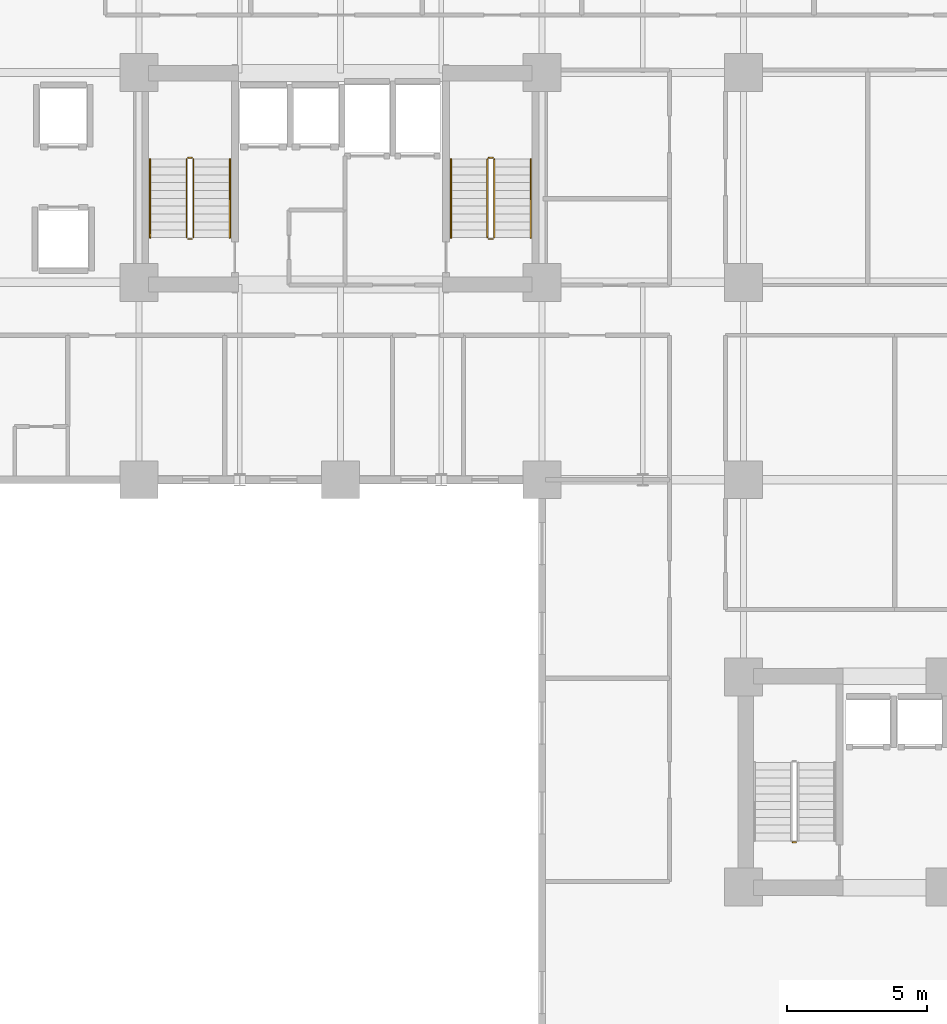
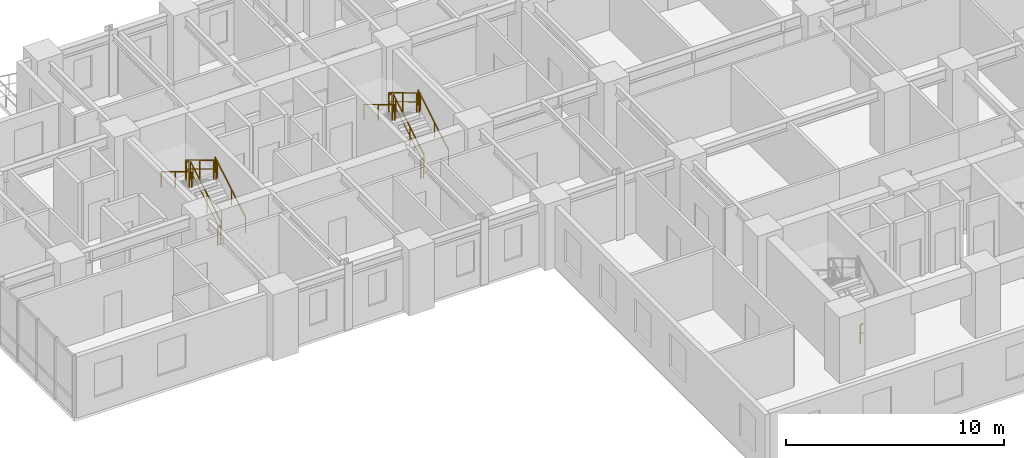
# One storey, part 15 of 17: 13 railings.
"""IFC4 building model written with IfcOpenShell, lengths in metres."""

from ifc_helpers import new_model, si_unit, direction, frame, origin, origin_2d, place, context, subcontext, project, spatial, rectangle, extrude, material, type_object, element, save


model = new_model("IFC4")

# Units and contexts
model_context = context("Model", 3, precision=1e-05, world=origin(), true_north=direction((0.0, 1.0)))
body_context = subcontext(model_context, "Body", "Model", "MODEL_VIEW")
ifc_project = project(units=[si_unit("LENGTHUNIT", "METRE"), si_unit("AREAUNIT", "SQUARE_METRE"), si_unit("VOLUMEUNIT", "CUBIC_METRE"), si_unit("PLANEANGLEUNIT", "RADIAN"), si_unit("MASSUNIT", "GRAM", prefix="KILO")], contexts=[model_context])

# Site, building, storey
site_placement = place(None, origin())
site = spatial("IfcSite", under=ifc_project, at=site_placement, CompositionType="ELEMENT")
building_placement = place(site_placement, origin())
building = spatial("IfcBuilding", under=site, at=building_placement, Name="Kaliganga Portal Commons", CompositionType="ELEMENT")
storey_placement = place(building_placement, frame((0.0, 0.0, 62.300048828125)))
storey = spatial("IfcBuildingStorey", under=building, at=storey_placement, Name="L15", CompositionType="ELEMENT", Elevation=62.300048828125)

# Railings
ifc_material_1 = material(Name="Galvanized Painted Steel Balustrade", Category="steel")
railing_type_1 = type_object("IfcRailingType", Name="RLG-STAIR-GRD", PredefinedType="GUARDRAIL", material=ifc_material_1)
railing_1_placement = place(storey_placement, frame((16.35009765625, 30.25, 0.168212890625)))
element("IfcRailing", 1, at=railing_1_placement, inside=storey, type_object=railing_type_1, Name="L15 ST-A1 stair guard 1", PredefinedType="GUARDRAIL", context=body_context, shape_type="SweptSolid", body=[
    extrude(rectangle(XDim=0.048095703125, YDim=0.048095703125, at=origin_2d()), frame((0.0, 0.0, 1.072021484375), z_axis=(0.0, 0.857275202839, 0.514858452973), x_axis=(-1.0, 0.0, 0.0)), (0.0, 0.0, 1.0), 3.26611328125),
    extrude(rectangle(XDim=0.028076171875, YDim=0.028076171875, at=origin_2d()), frame((0.0, 0.0, 0.572021484375), z_axis=(0.0, 0.857275202839, 0.514858452973), x_axis=(-1.0, 0.0, 0.0)), (0.0, 0.0, 1.0), 3.26611328125),
    extrude(rectangle(XDim=0.0419921875, YDim=0.0419921875, at=origin_2d()), origin(), (0.0, 0.0, 1.0), 1.052001953125),
    extrude(rectangle(XDim=0.0419921875, YDim=0.0419921875, at=origin_2d()), frame((0.0, 1.285888671875, 0.772216796875)), (0.0, 0.0, 1.0), 1.052001953125),
    extrude(rectangle(XDim=0.0419921875, YDim=0.0419921875, at=origin_2d()), frame((0.0, 2.57177734375, 1.544677734375)), (0.0, 0.0, 1.0), 1.052001953125),
    extrude(rectangle(XDim=0.0419921875, YDim=0.0419921875, at=origin_2d()), frame((0.0, 2.800048828125, 1.681640625)), (0.0, 0.0, 1.0), 1.052001953125),
])
railing_2_placement = place(storey_placement, frame((16.300048828125, 33.10009765625, 1.849853515625)))
element("IfcRailing", 2, at=railing_2_placement, inside=storey, type_object=railing_type_1, Name="L15 ST-A1 stair guard 2", PredefinedType="GUARDRAIL", context=body_context, shape_type="SweptSolid", body=[
    extrude(rectangle(XDim=0.048095703125, YDim=0.048095703125, at=origin_2d()), frame((0.0, 0.0, 1.076171875), z_axis=(-1.0, 0.0, 0.0), x_axis=(0.0, -1.0, 0.0)), (0.0, 0.0, 1.0), 0.150146484375),
    extrude(rectangle(XDim=0.028076171875, YDim=0.028076171875, at=origin_2d()), frame((0.0, 0.0, 0.572021484375), z_axis=(-1.0, 0.0, 0.0), x_axis=(0.0, -1.0, 0.0)), (0.0, 0.0, 1.0), 0.150146484375),
    extrude(rectangle(XDim=0.0419921875, YDim=0.0419921875, at=origin_2d()), origin(), (0.0, 0.0, 1.0), 1.052001953125),
    extrude(rectangle(XDim=0.0419921875, YDim=0.0419921875, at=origin_2d()), frame((-0.150146484375, 0.0, 0.0)), (0.0, 0.0, 1.0), 1.052001953125),
])
railing_3_placement = place(storey_placement, frame((16.10009765625, 33.050048828125, 2.01806640625)))
element("IfcRailing", 3, at=railing_3_placement, inside=storey, type_object=railing_type_1, Name="L15 ST-A1 stair guard 3", PredefinedType="GUARDRAIL", context=body_context, shape_type="SweptSolid", body=[
    extrude(rectangle(XDim=0.048095703125, YDim=0.048095703125, at=origin_2d()), frame((0.0, 0.0, 1.072021484375), z_axis=(0.0, -0.857242210791, 0.514913383045), x_axis=(1.0, 0.0, 0.0)), (0.0, 0.0, 1.0), 3.266357421875),
    extrude(rectangle(XDim=0.028076171875, YDim=0.028076171875, at=origin_2d()), frame((0.0, 0.0, 0.572021484375), z_axis=(0.0, -0.857242210791, 0.514913383045), x_axis=(1.0, 0.0, 0.0)), (0.0, 0.0, 1.0), 3.266357421875),
    extrude(rectangle(XDim=0.0419921875, YDim=0.0419921875, at=origin_2d()), origin(), (0.0, 0.0, 1.0), 1.052001953125),
    extrude(rectangle(XDim=0.0419921875, YDim=0.0419921875, at=origin_2d()), frame((0.0, -1.285888671875, 0.7724609375)), (0.0, 0.0, 1.0), 1.052001953125),
    extrude(rectangle(XDim=0.0419921875, YDim=0.0419921875, at=origin_2d()), frame((0.0, -2.57177734375, 1.544677734375)), (0.0, 0.0, 1.0), 1.052001953125),
    extrude(rectangle(XDim=0.0419921875, YDim=0.0419921875, at=origin_2d()), frame((0.0, -2.800048828125, 1.681884765625)), (0.0, 0.0, 1.0), 1.052001953125),
])
railing_4_placement = place(storey_placement, frame((16.300048828125, 30.199951171875, 0.0)))
element("IfcRailing", 4, at=railing_4_placement, inside=storey, type_object=railing_type_1, Name="L15 ST-A1 stair guard 4", PredefinedType="GUARDRAIL", context=body_context, shape_type="SweptSolid", body=[
    extrude(rectangle(XDim=0.048095703125, YDim=0.048095703125, at=origin_2d()), frame((0.0, 0.0, 1.076171875), z_axis=(-1.0, 0.0, 0.0), x_axis=(0.0, -1.0, 0.0)), (0.0, 0.0, 1.0), 0.150146484375),
    extrude(rectangle(XDim=0.028076171875, YDim=0.028076171875, at=origin_2d()), frame((0.0, 0.0, 0.572021484375), z_axis=(-1.0, 0.0, 0.0), x_axis=(0.0, -1.0, 0.0)), (0.0, 0.0, 1.0), 0.150146484375),
    extrude(rectangle(XDim=0.0419921875, YDim=0.0419921875, at=origin_2d()), origin(), (0.0, 0.0, 1.0), 1.052001953125),
    extrude(rectangle(XDim=0.0419921875, YDim=0.0419921875, at=origin_2d()), frame((-0.150146484375, 0.0, 0.0)), (0.0, 0.0, 1.0), 1.052001953125),
])
railing_5_placement = place(storey_placement, frame((27.10009765625, 30.25, 0.168212890625)))
element("IfcRailing", 5, at=railing_5_placement, inside=storey, type_object=railing_type_1, Name="L15 ST-A2 stair guard 1", PredefinedType="GUARDRAIL", context=body_context, shape_type="SweptSolid", body=[
    extrude(rectangle(XDim=0.048095703125, YDim=0.048095703125, at=origin_2d()), frame((0.0, 0.0, 1.072021484375), z_axis=(0.0, 0.857275202839, 0.514858452973), x_axis=(-1.0, 0.0, 0.0)), (0.0, 0.0, 1.0), 3.26611328125),
    extrude(rectangle(XDim=0.028076171875, YDim=0.028076171875, at=origin_2d()), frame((0.0, 0.0, 0.572021484375), z_axis=(0.0, 0.857275202839, 0.514858452973), x_axis=(-1.0, 0.0, 0.0)), (0.0, 0.0, 1.0), 3.26611328125),
    extrude(rectangle(XDim=0.0419921875, YDim=0.0419921875, at=origin_2d()), origin(), (0.0, 0.0, 1.0), 1.052001953125),
    extrude(rectangle(XDim=0.0419921875, YDim=0.0419921875, at=origin_2d()), frame((0.0, 1.285888671875, 0.772216796875)), (0.0, 0.0, 1.0), 1.052001953125),
    extrude(rectangle(XDim=0.0419921875, YDim=0.0419921875, at=origin_2d()), frame((0.0, 2.57177734375, 1.544677734375)), (0.0, 0.0, 1.0), 1.052001953125),
    extrude(rectangle(XDim=0.0419921875, YDim=0.0419921875, at=origin_2d()), frame((0.0, 2.800048828125, 1.681640625)), (0.0, 0.0, 1.0), 1.052001953125),
])
railing_6_placement = place(storey_placement, frame((27.050048828125, 33.10009765625, 1.849853515625)))
element("IfcRailing", 6, at=railing_6_placement, inside=storey, type_object=railing_type_1, Name="L15 ST-A2 stair guard 2", PredefinedType="GUARDRAIL", context=body_context, shape_type="SweptSolid", body=[
    extrude(rectangle(XDim=0.048095703125, YDim=0.048095703125, at=origin_2d()), frame((0.0, 0.0, 1.076171875), z_axis=(-1.0, 0.0, 0.0), x_axis=(0.0, -1.0, 0.0)), (0.0, 0.0, 1.0), 0.150146484375),
    extrude(rectangle(XDim=0.028076171875, YDim=0.028076171875, at=origin_2d()), frame((0.0, 0.0, 0.572021484375), z_axis=(-1.0, 0.0, 0.0), x_axis=(0.0, -1.0, 0.0)), (0.0, 0.0, 1.0), 0.150146484375),
    extrude(rectangle(XDim=0.0419921875, YDim=0.0419921875, at=origin_2d()), origin(), (0.0, 0.0, 1.0), 1.052001953125),
    extrude(rectangle(XDim=0.0419921875, YDim=0.0419921875, at=origin_2d()), frame((-0.150146484375, 0.0, 0.0)), (0.0, 0.0, 1.0), 1.052001953125),
])
railing_7_placement = place(storey_placement, frame((26.85009765625, 33.050048828125, 2.01806640625)))
element("IfcRailing", 7, at=railing_7_placement, inside=storey, type_object=railing_type_1, Name="L15 ST-A2 stair guard 3", PredefinedType="GUARDRAIL", context=body_context, shape_type="SweptSolid", body=[
    extrude(rectangle(XDim=0.048095703125, YDim=0.048095703125, at=origin_2d()), frame((0.0, 0.0, 1.072021484375), z_axis=(0.0, -0.857242210791, 0.514913383045), x_axis=(1.0, 0.0, 0.0)), (0.0, 0.0, 1.0), 3.266357421875),
    extrude(rectangle(XDim=0.028076171875, YDim=0.028076171875, at=origin_2d()), frame((0.0, 0.0, 0.572021484375), z_axis=(0.0, -0.857242210791, 0.514913383045), x_axis=(1.0, 0.0, 0.0)), (0.0, 0.0, 1.0), 3.266357421875),
    extrude(rectangle(XDim=0.0419921875, YDim=0.0419921875, at=origin_2d()), origin(), (0.0, 0.0, 1.0), 1.052001953125),
    extrude(rectangle(XDim=0.0419921875, YDim=0.0419921875, at=origin_2d()), frame((0.0, -1.285888671875, 0.7724609375)), (0.0, 0.0, 1.0), 1.052001953125),
    extrude(rectangle(XDim=0.0419921875, YDim=0.0419921875, at=origin_2d()), frame((0.0, -2.57177734375, 1.544677734375)), (0.0, 0.0, 1.0), 1.052001953125),
    extrude(rectangle(XDim=0.0419921875, YDim=0.0419921875, at=origin_2d()), frame((0.0, -2.800048828125, 1.681884765625)), (0.0, 0.0, 1.0), 1.052001953125),
])
railing_8_placement = place(storey_placement, frame((27.050048828125, 30.199951171875, 0.0)))
element("IfcRailing", 8, at=railing_8_placement, inside=storey, type_object=railing_type_1, Name="L15 ST-A2 stair guard 4", PredefinedType="GUARDRAIL", context=body_context, shape_type="SweptSolid", body=[
    extrude(rectangle(XDim=0.048095703125, YDim=0.048095703125, at=origin_2d()), frame((0.0, 0.0, 1.076171875), z_axis=(-1.0, 0.0, 0.0), x_axis=(0.0, -1.0, 0.0)), (0.0, 0.0, 1.0), 0.150146484375),
    extrude(rectangle(XDim=0.028076171875, YDim=0.028076171875, at=origin_2d()), frame((0.0, 0.0, 0.572021484375), z_axis=(-1.0, 0.0, 0.0), x_axis=(0.0, -1.0, 0.0)), (0.0, 0.0, 1.0), 0.150146484375),
    extrude(rectangle(XDim=0.0419921875, YDim=0.0419921875, at=origin_2d()), origin(), (0.0, 0.0, 1.0), 1.052001953125),
    extrude(rectangle(XDim=0.0419921875, YDim=0.0419921875, at=origin_2d()), frame((-0.150146484375, 0.0, 0.0)), (0.0, 0.0, 1.0), 1.052001953125),
])
railing_9_placement = place(storey_placement, frame((37.89990234375, 8.64990234375, 0.0)))
element("IfcRailing", 9, at=railing_9_placement, inside=storey, type_object=railing_type_1, Name="L15 ST-B1 stair guard 4", PredefinedType="GUARDRAIL", context=body_context, shape_type="SweptSolid", body=[
    extrude(rectangle(XDim=0.048095703125, YDim=0.048095703125, at=origin_2d()), frame((0.0, 0.0, 1.076171875), z_axis=(-1.0, 0.0, 0.0), x_axis=(0.0, -1.0, 0.0)), (0.0, 0.0, 1.0), 0.14990234375),
    extrude(rectangle(XDim=0.028076171875, YDim=0.028076171875, at=origin_2d()), frame((0.0, 0.0, 0.572021484375), z_axis=(-1.0, 0.0, 0.0), x_axis=(0.0, -1.0, 0.0)), (0.0, 0.0, 1.0), 0.14990234375),
    extrude(rectangle(XDim=0.0419921875, YDim=0.0419921875, at=origin_2d()), frame((-0.14990234375, 0.0, 0.0)), (0.0, 0.0, 1.0), 1.052001953125),
])
ifc_material_2 = material(Name="Brushed Stainless Steel 316", Category="steel")
railing_type_2 = type_object("IfcRailingType", Name="RLG-STAIR-HR", PredefinedType="HANDRAIL", material=ifc_material_2)
railing_10_placement = place(storey_placement, frame((17.64990234375, 30.25, 0.168212890625)))
element("IfcRailing", 10, at=railing_10_placement, inside=storey, type_object=railing_type_2, Name="L15 ST-A1 stair handrail 1", PredefinedType="HANDRAIL", context=body_context, shape_type="SweptSolid", body=[
    extrude(rectangle(XDim=0.048095703125, YDim=0.048095703125, at=origin_2d()), frame((0.0, 0.0, 0.871826171875), z_axis=(0.0, 0.857275202839, 0.514858452973), x_axis=(-1.0, 0.0, 0.0)), (0.0, 0.0, 1.0), 3.26611328125),
    extrude(rectangle(XDim=0.0419921875, YDim=0.0419921875, at=origin_2d()), origin(), (0.0, 0.0, 1.0), 0.851806640625),
    extrude(rectangle(XDim=0.0419921875, YDim=0.0419921875, at=origin_2d()), frame((0.0, 1.285888671875, 0.772216796875)), (0.0, 0.0, 1.0), 0.851806640625),
    extrude(rectangle(XDim=0.0419921875, YDim=0.0419921875, at=origin_2d()), frame((0.0, 2.57177734375, 1.544677734375)), (0.0, 0.0, 1.0), 0.851806640625),
    extrude(rectangle(XDim=0.0419921875, YDim=0.0419921875, at=origin_2d()), frame((0.0, 2.800048828125, 1.681640625)), (0.0, 0.0, 1.0), 0.851806640625),
])
railing_11_placement = place(storey_placement, frame((14.800048828125, 33.050048828125, 2.01806640625)))
element("IfcRailing", 11, at=railing_11_placement, inside=storey, type_object=railing_type_2, Name="L15 ST-A1 stair handrail 2", PredefinedType="HANDRAIL", context=body_context, shape_type="SweptSolid", body=[
    extrude(rectangle(XDim=0.048095703125, YDim=0.048095703125, at=origin_2d()), frame((0.0, 0.0, 0.871826171875), z_axis=(0.0, -0.857242210791, 0.514913383045), x_axis=(1.0, 0.0, 0.0)), (0.0, 0.0, 1.0), 3.266357421875),
    extrude(rectangle(XDim=0.0419921875, YDim=0.0419921875, at=origin_2d()), origin(), (0.0, 0.0, 1.0), 0.851806640625),
    extrude(rectangle(XDim=0.0419921875, YDim=0.0419921875, at=origin_2d()), frame((0.0, -1.285888671875, 0.7724609375)), (0.0, 0.0, 1.0), 0.851806640625),
    extrude(rectangle(XDim=0.0419921875, YDim=0.0419921875, at=origin_2d()), frame((0.0, -2.57177734375, 1.544677734375)), (0.0, 0.0, 1.0), 0.851806640625),
    extrude(rectangle(XDim=0.0419921875, YDim=0.0419921875, at=origin_2d()), frame((0.0, -2.800048828125, 1.681884765625)), (0.0, 0.0, 1.0), 0.851806640625),
])
railing_12_placement = place(storey_placement, frame((28.39990234375, 30.25, 0.168212890625)))
element("IfcRailing", 12, at=railing_12_placement, inside=storey, type_object=railing_type_2, Name="L15 ST-A2 stair handrail 1", PredefinedType="HANDRAIL", context=body_context, shape_type="SweptSolid", body=[
    extrude(rectangle(XDim=0.048095703125, YDim=0.048095703125, at=origin_2d()), frame((0.0, 0.0, 0.871826171875), z_axis=(0.0, 0.857275202839, 0.514858452973), x_axis=(-1.0, 0.0, 0.0)), (0.0, 0.0, 1.0), 3.26611328125),
    extrude(rectangle(XDim=0.0419921875, YDim=0.0419921875, at=origin_2d()), origin(), (0.0, 0.0, 1.0), 0.851806640625),
    extrude(rectangle(XDim=0.0419921875, YDim=0.0419921875, at=origin_2d()), frame((0.0, 1.285888671875, 0.772216796875)), (0.0, 0.0, 1.0), 0.851806640625),
    extrude(rectangle(XDim=0.0419921875, YDim=0.0419921875, at=origin_2d()), frame((0.0, 2.57177734375, 1.544677734375)), (0.0, 0.0, 1.0), 0.851806640625),
    extrude(rectangle(XDim=0.0419921875, YDim=0.0419921875, at=origin_2d()), frame((0.0, 2.800048828125, 1.681640625)), (0.0, 0.0, 1.0), 0.851806640625),
])
railing_13_placement = place(storey_placement, frame((25.550048828125, 33.050048828125, 2.01806640625)))
element("IfcRailing", 13, at=railing_13_placement, inside=storey, type_object=railing_type_2, Name="L15 ST-A2 stair handrail 2", PredefinedType="HANDRAIL", context=body_context, shape_type="SweptSolid", body=[
    extrude(rectangle(XDim=0.048095703125, YDim=0.048095703125, at=origin_2d()), frame((0.0, 0.0, 0.871826171875), z_axis=(0.0, -0.857242210791, 0.514913383045), x_axis=(1.0, 0.0, 0.0)), (0.0, 0.0, 1.0), 3.266357421875),
    extrude(rectangle(XDim=0.0419921875, YDim=0.0419921875, at=origin_2d()), origin(), (0.0, 0.0, 1.0), 0.851806640625),
    extrude(rectangle(XDim=0.0419921875, YDim=0.0419921875, at=origin_2d()), frame((0.0, -1.285888671875, 0.7724609375)), (0.0, 0.0, 1.0), 0.851806640625),
    extrude(rectangle(XDim=0.0419921875, YDim=0.0419921875, at=origin_2d()), frame((0.0, -2.57177734375, 1.544677734375)), (0.0, 0.0, 1.0), 0.851806640625),
    extrude(rectangle(XDim=0.0419921875, YDim=0.0419921875, at=origin_2d()), frame((0.0, -2.800048828125, 1.681884765625)), (0.0, 0.0, 1.0), 0.851806640625),
])

save(model, "model.ifc")
